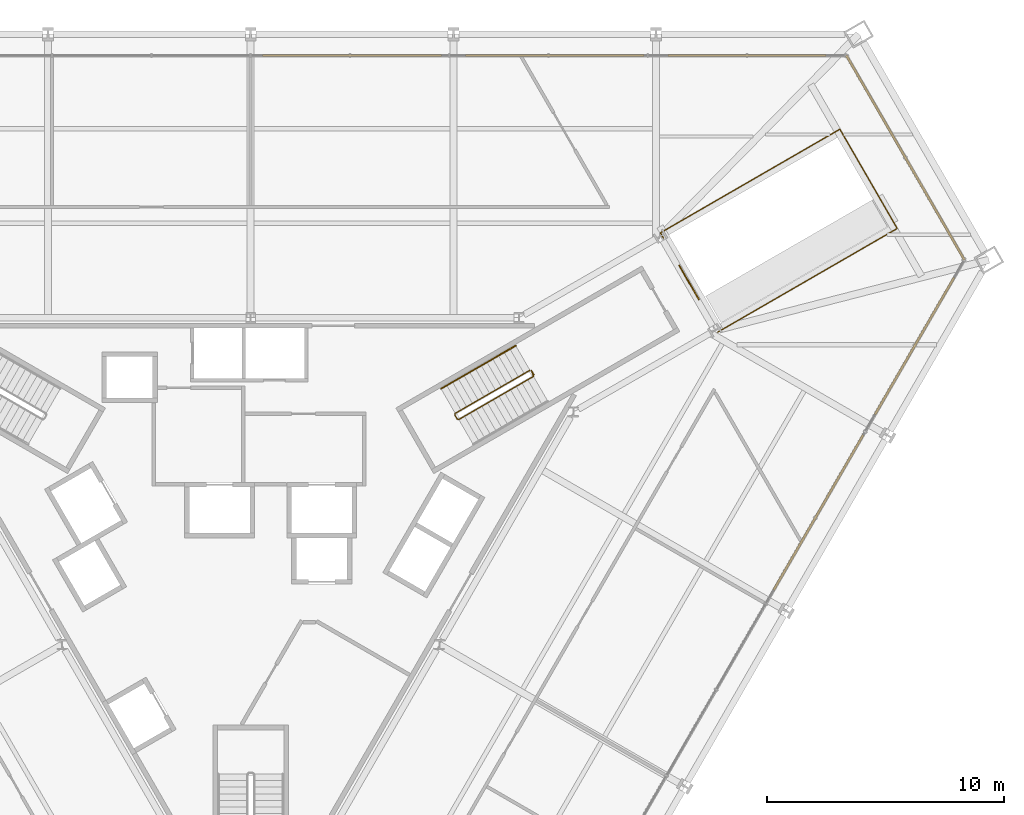
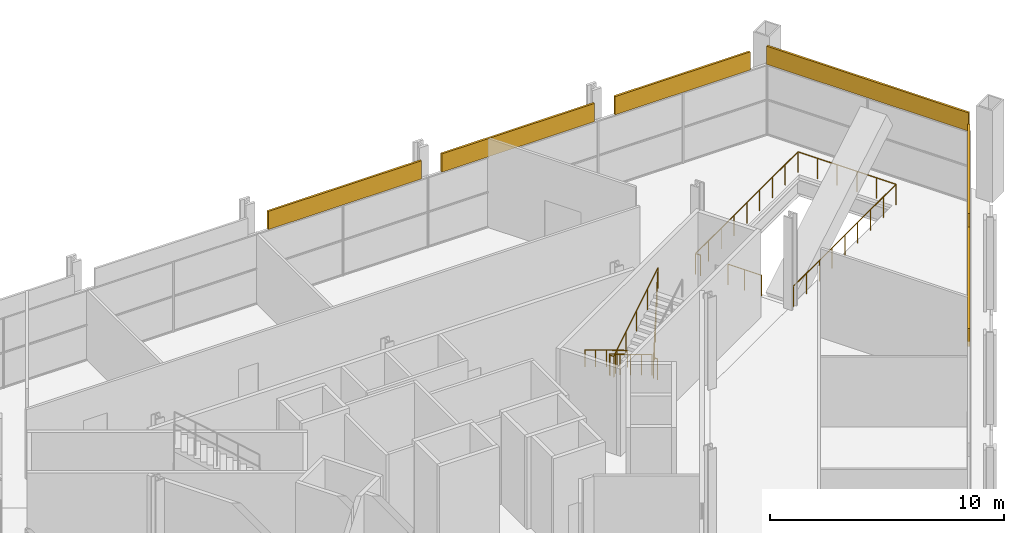
# One storey, part 17 of 18: 6 coverings, 4 railings.
"""IFC4 building model written with IfcOpenShell, lengths in metres."""

from ifc_helpers import new_model, si_unit, direction, frame, origin, origin_2d, place, context, subcontext, project, spatial, rectangle, circle, extrude, material, layer, layer_set, type_object, element, save


model = new_model("IFC4")

# Units and contexts
model_context = context("Model", 3, precision=1e-05, world=origin(), true_north=direction((0.0, 1.0)))
body_context = subcontext(model_context, "Body", "Model", "MODEL_VIEW")
ifc_project = project(units=[si_unit("LENGTHUNIT", "METRE"), si_unit("AREAUNIT", "SQUARE_METRE"), si_unit("VOLUMEUNIT", "CUBIC_METRE"), si_unit("PLANEANGLEUNIT", "RADIAN"), si_unit("MASSUNIT", "GRAM", prefix="KILO")], contexts=[model_context])

# Site, building, storey
site_placement = place(None, origin())
site = spatial("IfcSite", under=ifc_project, at=site_placement, CompositionType="ELEMENT")
building_placement = place(site_placement, origin())
building = spatial("IfcBuilding", under=site, at=building_placement, Name="Verrane Prism Tower", CompositionType="ELEMENT")
storey_placement = place(building_placement, frame((0.0, 0.0, 22.39990234375)))
storey = spatial("IfcBuildingStorey", under=building, at=storey_placement, Name="L03", CompositionType="ELEMENT", Elevation=22.39990234375)

# Coverings
ifc_material_1 = material(Name="Limestone cladding", Category="masonry")
ifc_layer = layer(ifc_material_1, 0.10009765625)
ifc_layer_set = layer_set([ifc_layer], Name="FA-100 stone fascia panel")
covering_type = type_object("IfcCoveringType", Name="FA-100 stone fascia panel", PredefinedType="CLADDING", material=ifc_layer_set)
covering_1_placement = place(storey_placement, frame((27.63818359375, 15.956787109375, 3.68994140625), z_axis=(0.0, 0.0, 1.0), x_axis=(-0.499999190728, 0.866025871017, 0.0)))
element("IfcCovering", 1, at=covering_1_placement, inside=storey, type_object=covering_type, Name="Stone fascia L03 1.1", PredefinedType="CLADDING", context=body_context, shape_type="SweptSolid", body=[
    extrude(rectangle(XDim=9.960693359375, YDim=0.10009765625, at=origin_2d()), origin(), (0.0, 0.0, 1.0), 0.949951171875),
])
covering_2_placement = place(storey_placement, frame((20.948486328125, 20.27001953125, 3.68994140625), z_axis=(0.0, 0.0, 1.0), x_axis=(-1.0, 0.0, 0.0)))
element("IfcCovering", 2, at=covering_2_placement, inside=storey, type_object=covering_type, Name="Stone fascia L03 2.1", PredefinedType="CLADDING", context=body_context, shape_type="SweptSolid", body=[
    extrude(rectangle(XDim=6.6767578125, YDim=0.10009765625, at=origin_2d()), origin(), (0.0, 0.0, 1.0), 0.949951171875),
])
covering_3_placement = place(storey_placement, frame((12.8349609375, 20.27001953125, 3.68994140625), z_axis=(0.0, 0.0, 1.0), x_axis=(-1.0, 0.0, 0.0)))
element("IfcCovering", 3, at=covering_3_placement, inside=storey, type_object=covering_type, Name="Stone fascia L03 2.2", PredefinedType="CLADDING", context=body_context, shape_type="SweptSolid", body=[
    extrude(rectangle(XDim=7.550048828125, YDim=0.10009765625, at=origin_2d()), origin(), (0.0, 0.0, 1.0), 0.949951171875),
])
covering_4_placement = place(storey_placement, frame((4.280029296875, 20.27001953125, 3.68994140625), z_axis=(0.0, 0.0, 1.0), x_axis=(-1.0, 0.0, 0.0)))
element("IfcCovering", 4, at=covering_4_placement, inside=storey, type_object=covering_type, Name="Stone fascia L03 2.3", PredefinedType="CLADDING", context=body_context, shape_type="SweptSolid", body=[
    extrude(rectangle(XDim=7.56005859375, YDim=0.10009765625, at=origin_2d()), origin(), (0.0, 0.0, 1.0), 0.949951171875),
])
covering_5_placement = place(storey_placement, frame((23.96923828125, 0.975830078125, 3.68994140625), z_axis=(0.0, 0.0, 1.0), x_axis=(0.500000118955, 0.866025335106, 0.0)))
element("IfcCovering", 5, at=covering_5_placement, inside=storey, type_object=covering_type, Name="Stone fascia L03 6.5", PredefinedType="CLADDING", context=body_context, shape_type="SweptSolid", body=[
    extrude(rectangle(XDim=7.557373046875, YDim=0.10009765625, at=origin_2d()), origin(), (0.0, 0.0, 1.0), 0.949951171875),
])
covering_6_placement = place(storey_placement, frame((28.026123046875, 8.002685546875, 3.68994140625), z_axis=(0.0, 0.0, 1.0), x_axis=(0.500000118955, 0.866025335106, 0.0)))
element("IfcCovering", 6, at=covering_6_placement, inside=storey, type_object=covering_type, Name="Stone fascia L03 6.6", PredefinedType="CLADDING", context=body_context, shape_type="SweptSolid", body=[
    extrude(rectangle(XDim=6.670654296875, YDim=0.10009765625, at=origin_2d()), origin(), (0.0, 0.0, 1.0), 0.949951171875),
])

# Railings
ifc_material_2 = material(Name="Stainless steel and laminated glass", Category="steel")
railing_type_1 = type_object("IfcRailingType", Name="GR-1100 glass and steel guard", PredefinedType="GUARDRAIL", material=ifc_material_2)
railing_1_placement = place(storey_placement, frame((19.717041015625, 8.589111328125, 0.0)))
element("IfcRailing", 7, at=railing_1_placement, inside=storey, type_object=railing_type_1, Name="Guard EW1 L03 1", PredefinedType="GUARDRAIL", context=body_context, shape_type="SweptSolid", body=[
    extrude(circle(Radius=0.02392578125, at=origin_2d()), frame((0.0, 0.0, 1.076171875), z_axis=(0.866022959057, 0.500004234368, 0.0), x_axis=(-0.500004234368, 0.866022959057, 0.0)), (0.0, 0.0, 1.0), 8.75),
    extrude(circle(Radius=0.02392578125, at=origin_2d()), frame((7.57763671875, 4.375, 1.076171875), z_axis=(-0.499980071345, 0.866036909293, 0.0), x_axis=(-0.866036909293, -0.499980071345, 0.0)), (0.0, 0.0, 1.0), 4.840087890625),
    extrude(circle(Radius=0.02392578125, at=origin_2d()), frame((5.15771484375, 8.566650390625, 1.076171875), z_axis=(-0.866029934428, -0.499992152613, 0.0), x_axis=(0.499992152613, -0.866029934428, 0.0)), (0.0, 0.0, 1.0), 8.750244140625),
    extrude(circle(Radius=0.02392578125, at=origin_2d()), frame((-2.420166015625, 4.191650390625, 1.076171875), z_axis=(0.499919672301, -0.866071776036, 0.0), x_axis=(0.866071776036, 0.499919672301, 0.0)), (0.0, 0.0, 1.0), 0.25),
    extrude(circle(Radius=0.02099609375, at=origin_2d()), origin(), (0.0, 0.0, 1.0), 1.052001953125),
    extrude(circle(Radius=0.02099609375, at=origin_2d()), frame((0.947265625, 0.546875, 0.0)), (0.0, 0.0, 1.0), 1.052001953125),
    extrude(circle(Radius=0.02099609375, at=origin_2d()), frame((1.89453125, 1.09375, 0.0)), (0.0, 0.0, 1.0), 1.052001953125),
    extrude(circle(Radius=0.02099609375, at=origin_2d()), frame((2.841552734375, 1.640625, 0.0)), (0.0, 0.0, 1.0), 1.052001953125),
    extrude(circle(Radius=0.02099609375, at=origin_2d()), frame((3.788818359375, 2.1875, 0.0)), (0.0, 0.0, 1.0), 1.052001953125),
    extrude(circle(Radius=0.02099609375, at=origin_2d()), frame((4.736083984375, 2.734375, 0.0)), (0.0, 0.0, 1.0), 1.052001953125),
    extrude(circle(Radius=0.02099609375, at=origin_2d()), frame((5.68310546875, 3.28125, 0.0)), (0.0, 0.0, 1.0), 1.052001953125),
    extrude(circle(Radius=0.02099609375, at=origin_2d()), frame((6.63037109375, 3.828125, 0.0)), (0.0, 0.0, 1.0), 1.052001953125),
    extrude(circle(Radius=0.02099609375, at=origin_2d()), frame((7.57763671875, 4.375, 0.0)), (0.0, 0.0, 1.0), 1.052001953125),
    extrude(circle(Radius=0.02099609375, at=origin_2d()), frame((7.09375, 5.21337890625, 0.0)), (0.0, 0.0, 1.0), 1.052001953125),
    extrude(circle(Radius=0.02099609375, at=origin_2d()), frame((6.609619140625, 6.0517578125, 0.0)), (0.0, 0.0, 1.0), 1.052001953125),
    extrude(circle(Radius=0.02099609375, at=origin_2d()), frame((6.125732421875, 6.889892578125, 0.0)), (0.0, 0.0, 1.0), 1.052001953125),
    extrude(circle(Radius=0.02099609375, at=origin_2d()), frame((5.6416015625, 7.728271484375, 0.0)), (0.0, 0.0, 1.0), 1.052001953125),
    extrude(circle(Radius=0.02099609375, at=origin_2d()), frame((5.15771484375, 8.566650390625, 0.0)), (0.0, 0.0, 1.0), 1.052001953125),
    extrude(circle(Radius=0.02099609375, at=origin_2d()), frame((4.21044921875, 8.019775390625, 0.0)), (0.0, 0.0, 1.0), 1.052001953125),
    extrude(circle(Radius=0.02099609375, at=origin_2d()), frame((3.26318359375, 7.472900390625, 0.0)), (0.0, 0.0, 1.0), 1.052001953125),
    extrude(circle(Radius=0.02099609375, at=origin_2d()), frame((2.31591796875, 6.926025390625, 0.0)), (0.0, 0.0, 1.0), 1.052001953125),
    extrude(circle(Radius=0.02099609375, at=origin_2d()), frame((1.36865234375, 6.379150390625, 0.0)), (0.0, 0.0, 1.0), 1.052001953125),
    extrude(circle(Radius=0.02099609375, at=origin_2d()), frame((0.421630859375, 5.832275390625, 0.0)), (0.0, 0.0, 1.0), 1.052001953125),
    extrude(circle(Radius=0.02099609375, at=origin_2d()), frame((-0.525634765625, 5.285400390625, 0.0)), (0.0, 0.0, 1.0), 1.052001953125),
    extrude(circle(Radius=0.02099609375, at=origin_2d()), frame((-1.472900390625, 4.738525390625, 0.0)), (0.0, 0.0, 1.0), 1.052001953125),
    extrude(circle(Radius=0.02099609375, at=origin_2d()), frame((-2.420166015625, 4.191650390625, 0.0)), (0.0, 0.0, 1.0), 1.052001953125),
    extrude(circle(Radius=0.02099609375, at=origin_2d()), frame((-2.295166015625, 3.97509765625, 0.0)), (0.0, 0.0, 1.0), 1.052001953125),
])
railing_2_placement = place(storey_placement, frame((18.092041015625, 11.40380859375, 0.0)))
element("IfcRailing", 8, at=railing_2_placement, inside=storey, type_object=railing_type_1, Name="Guard EW1 L03 2", PredefinedType="GUARDRAIL", context=body_context, shape_type="SweptSolid", body=[
    extrude(circle(Radius=0.02392578125, at=origin_2d()), frame((0.0, 0.0, 1.076171875), z_axis=(0.499951638388, -0.866053323574, 0.0), x_axis=(0.866053323574, 0.499951638388, 0.0)), (0.0, 0.0, 1.0), 1.659912109375),
    extrude(circle(Radius=0.02099609375, at=origin_2d()), origin(), (0.0, 0.0, 1.0), 1.052001953125),
    extrude(circle(Radius=0.02099609375, at=origin_2d()), frame((0.4150390625, -0.71875, 0.0)), (0.0, 0.0, 1.0), 1.052001953125),
    extrude(circle(Radius=0.02099609375, at=origin_2d()), frame((0.829833984375, -1.4375, 0.0)), (0.0, 0.0, 1.0), 1.052001953125),
])
ifc_material_3 = material(Name="Steel A36 rail and posts, no infill", Category="steel")
railing_type_2 = type_object("IfcRailingType", Name="Stair guard 1100 steel rail and posts", PredefinedType="GUARDRAIL", material=ifc_material_3)
railing_3_placement = place(storey_placement, frame((11.78955078125, 6.97998046875, 0.171630859375)))
element("IfcRailing", 9, at=railing_3_placement, inside=storey, type_object=railing_type_2, Name="Stair 1 guard", PredefinedType="GUARDRAIL", context=body_context, shape_type="SweptSolid", body=[
    extrude(circle(Radius=0.02392578125, at=origin_2d()), frame((0.0, 0.0, 1.076171875), z_axis=(-0.738592093898, -0.426440834883, 0.522139764025), x_axis=(0.500012742938, -0.866018046521, 0.0)), (0.0, 0.0, 1.0), 4.26806640625),
    extrude(circle(Radius=0.02392578125, at=origin_2d()), frame((-3.15234375, -1.820068359375, 3.3046875), z_axis=(-0.258736085224, -0.965948051503, 0.0), x_axis=(0.965948051503, -0.258736085224, 0.0)), (0.0, 0.0, 1.0), 0.07080078125),
    extrude(circle(Radius=0.02392578125, at=origin_2d()), frame((-3.170654296875, -1.888427734375, 3.3046875), z_axis=(0.500603037456, -0.865676959893, 0.0), x_axis=(0.865676959893, 0.500603037456, 0.0)), (0.0, 0.0, 1.0), 0.199951171875),
    extrude(circle(Radius=0.02392578125, at=origin_2d()), frame((-3.070556640625, -2.0615234375, 3.3046875), z_axis=(0.36752864856, -0.098798023806, 0.924749502828), x_axis=(0.259601060869, 0.965715946433, 0.0)), (0.0, 0.0, 1.0), 0.185302734375),
    extrude(circle(Radius=0.02392578125, at=origin_2d()), frame((-3.00244140625, -2.079833984375, 3.47607421875), z_axis=(0.738592093898, 0.426440834883, 0.522139764025), x_axis=(-0.500012742938, 0.866018046521, 0.0)), (0.0, 0.0, 1.0), 4.26806640625),
    extrude(circle(Radius=0.02392578125, at=origin_2d()), frame((0.14990234375, -0.259765625, 5.70458984375), z_axis=(-0.016964052142, 0.050231878949, -0.998593500516), x_axis=(-0.947430582667, -0.3199613899, 0.0)), (0.0, 0.0, 1.0), 4.806884765625),
    extrude(circle(Radius=0.02392578125, at=origin_2d()), frame((0.068359375, -0.018310546875, 0.904296875), z_axis=(0.499158860599, -0.866510491504, 0.0), x_axis=(0.866510491504, 0.499158860599, 0.0)), (0.0, 0.0, 1.0), 0.199951171875),
    extrude(circle(Radius=0.02099609375, at=origin_2d()), origin(), (0.0, 0.0, 1.0), 1.052001953125),
    extrude(circle(Radius=0.02099609375, at=origin_2d()), frame((-0.7880859375, -0.455078125, 0.55712890625)), (0.0, 0.0, 1.0), 1.052001953125),
    extrude(circle(Radius=0.02099609375, at=origin_2d()), frame((-1.576171875, -0.91015625, 1.1142578125)), (0.0, 0.0, 1.0), 1.052001953125),
    extrude(circle(Radius=0.02099609375, at=origin_2d()), frame((-2.3642578125, -1.364990234375, 1.67138671875)), (0.0, 0.0, 1.0), 1.052001953125),
    extrude(circle(Radius=0.02099609375, at=origin_2d()), frame((-3.15234375, -1.820068359375, 2.228515625)), (0.0, 0.0, 1.0), 1.052001953125),
    extrude(circle(Radius=0.02099609375, at=origin_2d()), frame((-3.170654296875, -1.888427734375, 2.228515625)), (0.0, 0.0, 1.0), 1.052001953125),
    extrude(circle(Radius=0.02099609375, at=origin_2d()), frame((-3.070556640625, -2.0615234375, 2.228515625)), (0.0, 0.0, 1.0), 1.052001953125),
    extrude(circle(Radius=0.02099609375, at=origin_2d()), frame((-3.00244140625, -2.079833984375, 2.39990234375)), (0.0, 0.0, 1.0), 1.052001953125),
    extrude(circle(Radius=0.02099609375, at=origin_2d()), frame((-2.21435546875, -1.624755859375, 2.95703125)), (0.0, 0.0, 1.0), 1.052001953125),
    extrude(circle(Radius=0.02099609375, at=origin_2d()), frame((-1.42626953125, -1.169921875, 3.51416015625)), (0.0, 0.0, 1.0), 1.052001953125),
    extrude(circle(Radius=0.02099609375, at=origin_2d()), frame((-0.63818359375, -0.71484375, 4.0712890625)), (0.0, 0.0, 1.0), 1.052001953125),
    extrude(circle(Radius=0.02099609375, at=origin_2d()), frame((0.14990234375, -0.259765625, 4.62841796875)), (0.0, 0.0, 1.0), 1.052001953125),
    extrude(circle(Radius=0.02099609375, at=origin_2d()), frame((0.133544921875, -0.21142578125, 3.66845703125)), (0.0, 0.0, 1.0), 1.052001953125),
    extrude(circle(Radius=0.02099609375, at=origin_2d()), frame((0.1171875, -0.1630859375, 2.70849609375)), (0.0, 0.0, 1.0), 1.052001953125),
    extrude(circle(Radius=0.02099609375, at=origin_2d()), frame((0.10107421875, -0.114990234375, 1.748291015625)), (0.0, 0.0, 1.0), 1.052001953125),
    extrude(circle(Radius=0.02099609375, at=origin_2d()), frame((0.084716796875, -0.066650390625, 0.788330078125)), (0.0, 0.0, 1.0), 1.052001953125),
    extrude(circle(Radius=0.02099609375, at=origin_2d()), frame((0.068359375, -0.018310546875, -0.171630859375)), (0.0, 0.0, 1.0), 1.052001953125),
    extrude(circle(Radius=0.02099609375, at=origin_2d()), frame((0.168212890625, -0.191650390625, -0.171630859375)), (0.0, 0.0, 1.0), 1.052001953125),
])
ifc_material_4 = material(Name="Steel A36 tube", Category="steel")
railing_type_3 = type_object("IfcRailingType", Name="Stair handrail 900 steel tube", PredefinedType="HANDRAIL", material=ifc_material_4)
railing_4_placement = place(storey_placement, frame((11.189453125, 8.01904296875, 0.171630859375)))
element("IfcRailing", 10, at=railing_4_placement, inside=storey, type_object=railing_type_3, Name="Stair 1 handrail", PredefinedType="HANDRAIL", context=body_context, shape_type="SweptSolid", body=[
    extrude(circle(Radius=0.02392578125, at=origin_2d()), frame((0.0, 0.0, 0.8759765625), z_axis=(-0.738610110021, -0.426394033464, 0.52215250033), x_axis=(0.499962438169, -0.866047089031, 0.0)), (0.0, 0.0, 1.0), 4.267822265625),
    extrude(circle(Radius=0.02099609375, at=origin_2d()), origin(), (0.0, 0.0, 1.0), 0.851806640625),
    extrude(circle(Radius=0.02099609375, at=origin_2d()), frame((-0.7880859375, -0.455078125, 0.55712890625)), (0.0, 0.0, 1.0), 0.851806640625),
    extrude(circle(Radius=0.02099609375, at=origin_2d()), frame((-1.576171875, -0.909912109375, 1.1142578125)), (0.0, 0.0, 1.0), 0.851806640625),
    extrude(circle(Radius=0.02099609375, at=origin_2d()), frame((-2.3642578125, -1.36474609375, 1.67138671875)), (0.0, 0.0, 1.0), 0.851806640625),
    extrude(circle(Radius=0.02099609375, at=origin_2d()), frame((-3.15234375, -1.81982421875, 2.228515625)), (0.0, 0.0, 1.0), 0.851806640625),
])

save(model, "model.ifc")
